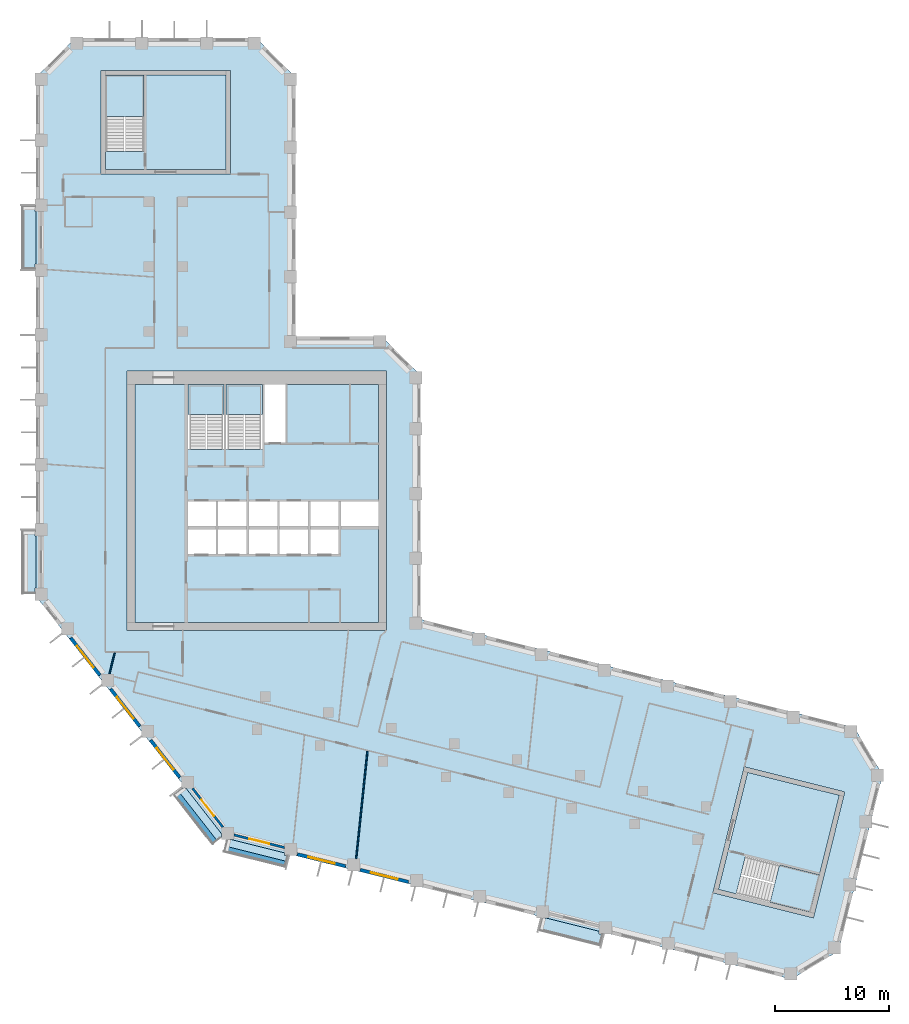
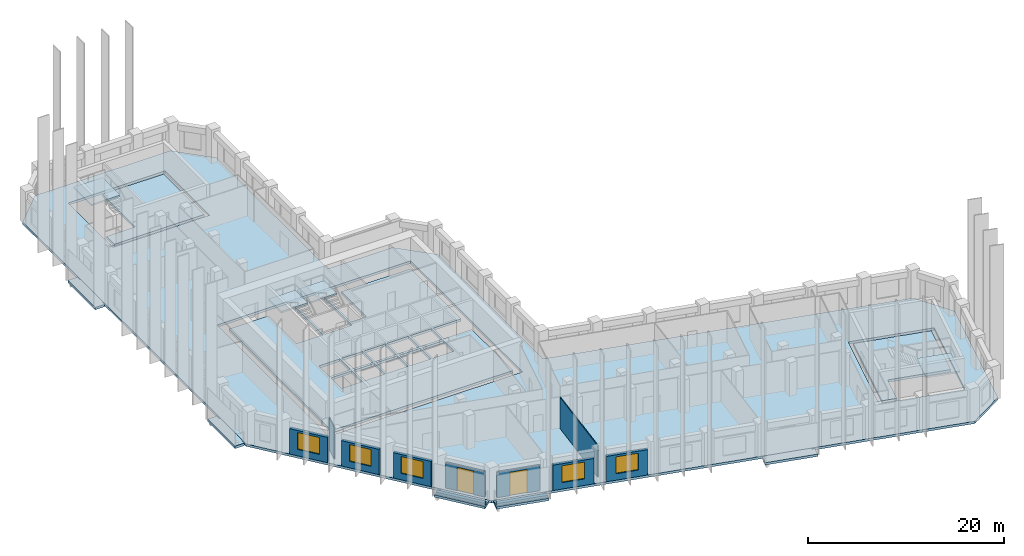
# One storey, part 2 of 10: 13 slabs, 11 walls, 5 windows, 2 doors, 7 openings, 4 elements without a shape of their own.
"""IFC4 building model written with IfcOpenShell, lengths in metres."""

from ifc_helpers import new_model, si_unit, direction, frame, frame_2d, origin, place, context, subcontext, project, spatial, polyline, rectangle, outline, extrude, material, layer, layer_set, type_object, element, fill, aggregate, save


model = new_model("IFC4")

# Units and contexts
model_context = context("Model", 3, precision=1e-05, world=origin(), true_north=direction((0.0, 1.0)))
body_context = subcontext(model_context, "Body", "Model", "MODEL_VIEW")
ifc_project = project(units=[si_unit("LENGTHUNIT", "METRE"), si_unit("AREAUNIT", "SQUARE_METRE"), si_unit("VOLUMEUNIT", "CUBIC_METRE"), si_unit("PLANEANGLEUNIT", "RADIAN"), si_unit("MASSUNIT", "GRAM", prefix="KILO")], contexts=[model_context])

# Site, building, storey
site_placement = place(None, origin())
site = spatial("IfcSite", under=ifc_project, at=site_placement, CompositionType="ELEMENT")
building_placement = place(site_placement, origin())
building = spatial("IfcBuilding", under=site, at=building_placement, Name="Meshkara Civic Tower", CompositionType="ELEMENT")
storey_placement = place(building_placement, frame((0.0, 0.0, 225.60009765625)))
storey = spatial("IfcBuildingStorey", under=building, at=storey_placement, Name="L51", CompositionType="ELEMENT", Elevation=225.60009765625)

# Slabs
ifc_material_1 = material(Name="Concrete C40", Category="concrete")
ifc_layer_1 = layer(ifc_material_1, 0.300048828125)
ifc_layer_set_1 = layer_set([ifc_layer_1], Name="BALCONY SLAB")
slab_type_1 = type_object("IfcSlabType", Name="BALCONY SLAB", PredefinedType="FLOOR", material=ifc_layer_set_1)
slab_1_placement = place(storey_placement, frame((0.0, 0.0, -0.300048828125)))
element("IfcSlab", 1, at=slab_1_placement, inside=storey, type_object=slab_type_1, Name="Balcony slab", PredefinedType="FLOOR", context=body_context, shape_type="SweptSolid", body=[
    extrude(outline(polyline([(-1.199951171875, 45.81494140625), (-1.199951171875, 51.39501953125), (-0.10009765625, 51.39501953125), (-0.10009765625, 50.905029296875), (0.0, 50.905029296875), (0.0, 46.304931640625), (-0.10009765625, 46.304931640625), (-0.10009765625, 45.81494140625), (-1.199951171875, 45.81494140625)])), origin(), (0.0, 0.0, 1.0), 0.300048828125),
])
slab_2_placement = place(storey_placement, frame((0.0, 0.0, -0.300048828125)))
element("IfcSlab", 2, at=slab_2_placement, inside=storey, type_object=slab_type_1, Name="Balcony slab", PredefinedType="FLOOR", context=body_context, shape_type="SweptSolid", body=[
    extrude(outline(polyline([(-1.199951171875, 17.31494140625), (-1.199951171875, 22.89501953125), (-0.10009765625, 22.89501953125), (-0.10009765625, 22.405029296875), (0.0, 22.405029296875), (0.0, 17.804931640625), (-0.10009765625, 17.804931640625), (-0.10009765625, 17.31494140625), (-1.199951171875, 17.31494140625)])), origin(), (0.0, 0.0, 1.0), 0.300048828125),
])
slab_3_placement = place(storey_placement, frame((0.0, 0.0, -0.300048828125)))
element("IfcSlab", 3, at=slab_3_placement, inside=storey, type_object=slab_type_1, Name="Balcony slab", PredefinedType="FLOOR", context=body_context, shape_type="SweptSolid", body=[
    extrude(outline(polyline([(15.513916015625, -4.7060546875), (12.0791015625, -0.30908203125), (12.7919921875, 0.248046875), (12.7919921875, 0.2041015625), (13.199951171875, 0.2041015625), (16.301025390625, -3.764892578125), (16.301025390625, -4.092041015625), (15.513916015625, -4.7060546875)])), origin(), (0.0, 0.0, 1.0), 0.300048828125),
])
slab_4_placement = place(storey_placement, frame((0.0, 0.0, -0.300048828125)))
element("IfcSlab", 4, at=slab_4_placement, inside=storey, type_object=slab_type_1, Name="Balcony slab", PredefinedType="FLOOR", context=body_context, shape_type="SweptSolid", body=[
    extrude(outline(polyline([(21.925048828125, -6.702880859375), (16.510009765625, -5.35302734375), (16.77587890625, -4.2880859375), (17.197998046875, -4.2880859375), (21.83203125, -5.443115234375), (21.83203125, -5.6669921875), (22.18310546875, -5.6669921875), (21.925048828125, -6.702880859375)])), origin(), (0.0, 0.0, 1.0), 0.300048828125),
])
slab_5_placement = place(storey_placement, frame((0.0, 0.0, -0.300048828125)))
element("IfcSlab", 5, at=slab_5_placement, inside=storey, type_object=slab_type_1, Name="Balcony slab", PredefinedType="FLOOR", context=body_context, shape_type="SweptSolid", body=[
    extrude(outline(polyline([(49.577880859375, -13.597900390625), (44.1640625, -12.248046875), (44.429931640625, -11.181884765625), (44.84912109375, -11.181884765625), (49.485107421875, -12.337890625), (49.485107421875, -12.56103515625), (49.8359375, -12.56103515625), (49.577880859375, -13.597900390625)])), origin(), (0.0, 0.0, 1.0), 0.300048828125),
])
ifc_material_2 = material(Name="Concrete C40/50", Category="concrete")
ifc_layer_2 = layer(ifc_material_2, 0.300048828125)
ifc_layer_set_2 = layer_set([ifc_layer_2], Name="Core floor slab 300 C40/50")
slab_type_2 = type_object("IfcSlabType", Name="Core floor slab 300 C40/50", PredefinedType="FLOOR", material=ifc_layer_set_2)
slab_6_placement = place(storey_placement, frame((0.0, 0.0, -0.300048828125)))
element("IfcSlab", 6, at=slab_6_placement, inside=storey, type_object=slab_type_2, Name="Core floor K", PredefinedType="FLOOR", context=body_context, shape_type="SweptSolid", body=[
    extrude(outline(polyline([(8.699951171875, 35.699951171875), (13.35009765625, 35.699951171875), (13.35009765625, 30.00146484375), (16.5, 30.00146484375), (16.5, 35.699951171875), (16.699951171875, 35.699951171875), (16.699951171875, 30.00146484375), (19.89990234375, 30.00146484375), (19.89990234375, 35.699951171875), (20.10009765625, 35.699951171875), (20.10009765625, 30.574951171875), (21.925048828125, 30.574951171875), (21.925048828125, 35.699951171875), (30.10009765625, 35.699951171875), (30.10009765625, 25.39990234375), (26.800048828125, 25.39990234375), (26.800048828125, 23.25), (30.10009765625, 23.25), (30.10009765625, 14.800048828125), (8.699951171875, 14.800048828125), (8.699951171875, 35.699951171875)]), holes=[polyline([(15.800048828125, 22.949951171875), (13.35009765625, 22.949951171875), (13.35009765625, 20.800048828125), (15.800048828125, 20.800048828125), (15.800048828125, 22.949951171875)]), polyline([(16.0, 22.949951171875), (16.0, 20.800048828125), (18.5, 20.800048828125), (18.5, 22.949951171875), (16.0, 22.949951171875)]), polyline([(18.699951171875, 22.949951171875), (18.699951171875, 20.800048828125), (21.199951171875, 20.800048828125), (21.199951171875, 22.949951171875), (18.699951171875, 22.949951171875)]), polyline([(15.800048828125, 23.25), (15.800048828125, 25.39990234375), (13.35009765625, 25.39990234375), (13.35009765625, 23.25), (15.800048828125, 23.25)]), polyline([(16.0, 25.39990234375), (16.0, 23.25), (18.5, 23.25), (18.5, 25.39990234375), (16.0, 25.39990234375)]), polyline([(21.39990234375, 20.800048828125), (23.89990234375, 20.800048828125), (23.89990234375, 22.949951171875), (21.39990234375, 22.949951171875), (21.39990234375, 20.800048828125)]), polyline([(24.10009765625, 20.800048828125), (26.60009765625, 20.800048828125), (26.60009765625, 22.949951171875), (24.10009765625, 22.949951171875), (24.10009765625, 20.800048828125)]), polyline([(18.699951171875, 25.39990234375), (18.699951171875, 23.25), (21.199951171875, 23.25), (21.199951171875, 25.39990234375), (18.699951171875, 25.39990234375)]), polyline([(21.39990234375, 25.39990234375), (21.39990234375, 23.25), (23.89990234375, 23.25), (23.89990234375, 25.39990234375), (21.39990234375, 25.39990234375)]), polyline([(24.10009765625, 23.25), (26.60009765625, 23.25), (26.60009765625, 25.39990234375), (24.10009765625, 25.39990234375), (24.10009765625, 23.25)])]), origin(), (0.0, 0.0, 1.0), 0.300048828125),
])
slab_7_placement = place(storey_placement, frame((0.0, 0.0, -0.300048828125)))
element("IfcSlab", 7, at=slab_7_placement, inside=storey, type_object=slab_type_2, Name="Core floor EA", PredefinedType="FLOOR", context=body_context, shape_type="SweptSolid", body=[
    extrude(outline(polyline([(16.699951171875, 54.570068359375), (16.699951171875, 62.8701171875), (9.5, 62.8701171875), (9.5, 56.17138671875), (6.10009765625, 56.17138671875), (6.10009765625, 54.570068359375), (16.699951171875, 54.570068359375)])), origin(), (0.0, 0.0, 1.0), 0.300048828125),
])
slab_8_placement = place(storey_placement, frame((0.0, 0.0, -0.300048828125)))
element("IfcSlab", 8, at=slab_8_placement, inside=storey, type_object=slab_type_2, Name="Core floor EB", PredefinedType="FLOOR", context=body_context, shape_type="SweptSolid", body=[
    extrude(outline(polyline([(62.519775390625, 1.623291015625), (70.5732421875, -0.384765625), (68.83154296875, -7.370849609375), (62.33203125, -5.750244140625), (61.50927734375, -9.04931640625), (59.95556640625, -8.661865234375), (62.519775390625, 1.623291015625)])), origin(), (0.0, 0.0, 1.0), 0.300048828125),
])

# Stair, slab
ifc_material_3 = material(Name="Precast concrete C40/50", Category="concrete")
stair_type_1 = type_object("IfcStairType", Name="Exit stair half-turn 24 risers precast", PredefinedType="HALF_TURN_STAIR", material=ifc_material_3)
stair_1_placement = place(storey_placement, origin())
stair_1 = element("IfcStair", 9, at=stair_1_placement, inside=storey, type_object=stair_type_1, Name="L51 exit stair 1", PredefinedType="HALF_TURN_STAIR")
ifc_material_4 = material(Name="Precast concrete C40/50", Category="concrete")
ifc_layer_3 = layer(ifc_material_4, 0.199951171875)
ifc_layer_set_3 = layer_set([ifc_layer_3], Name="Exit stair landing 200")
slab_type_3 = type_object("IfcSlabType", Name="Exit stair landing 200", PredefinedType="LANDING", material=ifc_layer_set_3)
slab_9_placement = place(storey_placement, frame((0.0, 0.0, 1.89990234375)))
slab_9 = element("IfcSlab", 10, at=slab_9_placement, type_object=slab_type_3, Name="ST1 landing 1", PredefinedType="LANDING", context=body_context, shape_type="SweptSolid", body=[
    extrude(outline(polyline([(16.5, 33.07861328125), (16.5, 35.699951171875), (13.35009765625, 35.699951171875), (13.35009765625, 33.07861328125), (16.5, 33.07861328125)])), origin(), (0.0, 0.0, 1.0), 0.199951171875),
])
aggregate(stair_1, [slab_9])

stair_2_placement = place(storey_placement, origin())
stair_2 = element("IfcStair", 11, at=stair_2_placement, inside=storey, type_object=stair_type_1, Name="L51 exit stair 2", PredefinedType="HALF_TURN_STAIR")
slab_10_placement = place(storey_placement, frame((0.0, 0.0, 1.89990234375)))
slab_10 = element("IfcSlab", 12, at=slab_10_placement, type_object=slab_type_3, Name="ST2 landing 1", PredefinedType="LANDING", context=body_context, shape_type="SweptSolid", body=[
    extrude(outline(polyline([(19.89990234375, 33.07861328125), (19.89990234375, 35.699951171875), (16.699951171875, 35.699951171875), (16.699951171875, 33.07861328125), (19.89990234375, 33.07861328125)])), origin(), (0.0, 0.0, 1.0), 0.199951171875),
])
aggregate(stair_2, [slab_10])

ifc_material_5 = material(Name="Precast concrete C40/50", Category="concrete")
stair_type_2 = type_object("IfcStairType", Name="Exit stair half-turn 24 risers 1600 precast", PredefinedType="HALF_TURN_STAIR", material=ifc_material_5)
stair_3_placement = place(storey_placement, origin())
stair_3 = element("IfcStair", 13, at=stair_3_placement, inside=storey, type_object=stair_type_2, Name="L51 exit stair A from L50", PredefinedType="HALF_TURN_STAIR")
slab_11_placement = place(storey_placement, frame((0.0, 0.0, 1.89990234375)))
slab_11 = element("IfcSlab", 14, at=slab_11_placement, type_object=slab_type_3, Name="ESA4 landing 1", PredefinedType="LANDING", context=body_context, shape_type="SweptSolid", body=[
    extrude(outline(polyline([(9.5, 59.24853515625), (9.5, 62.8701171875), (6.10009765625, 62.8701171875), (6.10009765625, 59.24853515625), (9.5, 59.24853515625)])), origin(), (0.0, 0.0, 1.0), 0.199951171875),
])
aggregate(stair_3, [slab_11])

stair_4_placement = place(storey_placement, origin())
stair_4 = element("IfcStair", 15, at=stair_4_placement, inside=storey, type_object=stair_type_2, Name="L51 exit stair B from L50", PredefinedType="HALF_TURN_STAIR")
slab_12_placement = place(storey_placement, frame((0.0, 0.0, 1.89990234375)))
slab_12 = element("IfcSlab", 16, at=slab_12_placement, type_object=slab_type_3, Name="ESB4 landing 1", PredefinedType="LANDING", context=body_context, shape_type="SweptSolid", body=[
    extrude(outline(polyline([(64.49462890625, -9.794677734375), (68.0087890625, -10.67138671875), (68.83203125, -7.371337890625), (65.318115234375, -6.49462890625), (64.49462890625, -9.794677734375)])), origin(), (0.0, 0.0, 1.0), 0.199951171875),
])
aggregate(stair_4, [slab_12])

# Slab
ifc_material_6 = material(Name="Concrete C50", Category="concrete")
ifc_layer_4 = layer(ifc_material_6, 0.300048828125)
ifc_layer_set_4 = layer_set([ifc_layer_4], Name="Post-tensioned flat slab 300 C50")
slab_type_4 = type_object("IfcSlabType", Name="Post-tensioned flat slab 300 C50", PredefinedType="FLOOR", material=ifc_layer_set_4)
slab_13_placement = place(storey_placement, frame((0.0, 0.0, -0.300048828125)))
element("IfcSlab", 17, at=slab_13_placement, inside=storey, type_object=slab_type_4, Name="Post-tensioned flat slab L51", PredefinedType="FLOOR", context=body_context, shape_type="SweptSolid", body=[
    extrude(outline(polyline([(70.513916015625, -14.055908203125), (66.367919921875, -16.547119140625), (16.592041015625, -4.136962890625), (0.0, 17.10009765625), (0.0, 62.699951171875), (3.419921875, 66.1201171875), (19.3798828125, 66.1201171875), (22.800048828125, 62.699951171875), (22.800048828125, 39.89990234375), (30.3798828125, 39.89990234375), (33.800048828125, 36.47998046875), (33.800048828125, 15.071044921875), (71.884033203125, 5.574951171875), (74.375, 1.429931640625), (70.513916015625, -14.055908203125)]), holes=[polyline([(68.300048828125, -11.155029296875), (71.05810546875, -0.093017578125), (62.22802734375, 2.10791015625), (59.470947265625, -8.952880859375), (68.300048828125, -11.155029296875)]), polyline([(8.0, 14.10009765625), (30.800048828125, 14.10009765625), (30.800048828125, 36.89990234375), (8.0, 36.89990234375), (8.0, 14.10009765625)]), polyline([(5.699951171875, 63.27001953125), (5.699951171875, 54.169921875), (17.10009765625, 54.169921875), (17.10009765625, 63.27001953125), (5.699951171875, 63.27001953125)])]), origin(), (0.0, 0.0, 1.0), 0.300048828125),
])

# Wall, opening, window
ifc_material_7 = material(Name="Insulated infill panel with bronze anodised aluminium cladding", Category="aluminium")
ifc_layer_5 = layer(ifc_material_7, 0.300048828125)
ifc_layer_set_5 = layer_set([ifc_layer_5], Name="EXTERNAL INFILL WALL 300")
wall_type_1 = type_object("IfcWallType", Name="EXTERNAL INFILL WALL 300", PredefinedType="SOLIDWALL", material=ifc_layer_set_5)
wall_1_placement = place(storey_placement, frame((3.052978515625, 13.43603515625, 0.0), z_axis=(0.0, 0.0, 1.0), x_axis=(0.615699893917, -0.787980736205, 0.0)))
wall_1 = element("IfcWall", 18, at=wall_1_placement, inside=storey, type_object=wall_type_1, Name="External wall", PredefinedType="SOLIDWALL", context=body_context, shape_type="SweptSolid", body=[
    extrude(rectangle(XDim=4.156494140625, YDim=0.300048828125, at=frame_2d((2.078125, 0.0))), origin(), (0.0, 0.0, 1.0), 3.14990234375),
])
opening_1_placement = place(wall_1_placement, frame((0.8779296875, 0.0, 0.800048828125)))
opening_1 = element("IfcOpeningElement", 19, at=opening_1_placement, cuts=wall_1, Name="Opening W7", PredefinedType="OPENING", context=body_context, shape_type="SweptSolid", body=[
    extrude(rectangle(XDim=2.39990234375, YDim=2.10009765625, at=frame_2d((1.199951171875, 1.050048828125))), frame((0.0, 0.159912109375, 0.0), z_axis=(0.0, -1.0, 0.0), x_axis=(1.0, 0.0, 0.0)), (0.0, 0.0, 1.0), 0.320068359375),
])
ifc_material_8 = material(Name="Tinted double glazing", Category="glass")
window_type = type_object("IfcWindowType", Name="WINDOW 2400x2100", PartitioningType="DOUBLE_PANEL_VERTICAL", PredefinedType="WINDOW", material=ifc_material_8)
window_1_placement = place(opening_1_placement, origin())
window_1 = element("IfcWindow", 20, at=window_1_placement, inside=storey, type_object=window_type, Name="Window", OverallHeight=2.10009765625, OverallWidth=2.39990234375, PartitioningType="DOUBLE_PANEL_VERTICAL", PredefinedType="WINDOW", context=body_context, shape_type="SweptSolid", body=[
    extrude(rectangle(XDim=2.39990234375, YDim=2.10009765625, at=frame_2d((1.199951171875, 1.050048828125))), frame((0.0, 0.030029296875, 0.0), z_axis=(0.0, -1.0, 0.0), x_axis=(1.0, 0.0, 0.0)), (0.0, 0.0, 1.0), 0.06005859375),
])
fill(opening_1, window_1)

wall_2_placement = place(storey_placement, frame((6.56201171875, 8.944091796875, 0.0), z_axis=(0.0, 0.0, 1.0), x_axis=(0.615699893917, -0.787980736205, 0.0)))
wall_2 = element("IfcWall", 21, at=wall_2_placement, inside=storey, type_object=wall_type_1, Name="External wall", PredefinedType="SOLIDWALL", context=body_context, shape_type="SweptSolid", body=[
    extrude(rectangle(XDim=4.156494140625, YDim=0.300048828125, at=frame_2d((2.078125, 0.0))), origin(), (0.0, 0.0, 1.0), 3.14990234375),
])
opening_2_placement = place(wall_2_placement, frame((0.8779296875, 0.0, 0.800048828125)))
opening_2 = element("IfcOpeningElement", 22, at=opening_2_placement, cuts=wall_2, Name="Opening W7", PredefinedType="OPENING", context=body_context, shape_type="SweptSolid", body=[
    extrude(rectangle(XDim=2.39990234375, YDim=2.10009765625, at=frame_2d((1.199951171875, 1.050048828125))), frame((0.0, 0.159912109375, 0.0), z_axis=(0.0, -1.0, 0.0), x_axis=(1.0, 0.0, 0.0)), (0.0, 0.0, 1.0), 0.320068359375),
])
window_2_placement = place(opening_2_placement, origin())
window_2 = element("IfcWindow", 23, at=window_2_placement, inside=storey, type_object=window_type, Name="Window", OverallHeight=2.10009765625, OverallWidth=2.39990234375, PartitioningType="DOUBLE_PANEL_VERTICAL", PredefinedType="WINDOW", context=body_context, shape_type="SweptSolid", body=[
    extrude(rectangle(XDim=2.39990234375, YDim=2.10009765625, at=frame_2d((1.199951171875, 1.050048828125))), frame((0.0, 0.030029296875, 0.0), z_axis=(0.0, -1.0, 0.0), x_axis=(1.0, 0.0, 0.0)), (0.0, 0.0, 1.0), 0.06005859375),
])
fill(opening_2, window_2)

wall_3_placement = place(storey_placement, frame((10.072021484375, 4.451904296875, 0.0), z_axis=(0.0, 0.0, 1.0), x_axis=(0.615660006568, -0.788011901124, 0.0)))
wall_3 = element("IfcWall", 24, at=wall_3_placement, inside=storey, type_object=wall_type_1, Name="External wall", PredefinedType="SOLIDWALL", context=body_context, shape_type="SweptSolid", body=[
    extrude(rectangle(XDim=4.15478515625, YDim=0.300048828125, at=frame_2d((2.077392578125, 0.0))), origin(), (0.0, 0.0, 1.0), 3.14990234375),
])
opening_3_placement = place(wall_3_placement, frame((0.8779296875, 0.0, 0.800048828125)))
opening_3 = element("IfcOpeningElement", 25, at=opening_3_placement, cuts=wall_3, Name="Opening W7", PredefinedType="OPENING", context=body_context, shape_type="SweptSolid", body=[
    extrude(rectangle(XDim=2.39990234375, YDim=2.10009765625, at=frame_2d((1.199951171875, 1.050048828125))), frame((0.0, 0.159912109375, 0.0), z_axis=(0.0, -1.0, 0.0), x_axis=(1.0, 0.0, 0.0)), (0.0, 0.0, 1.0), 0.320068359375),
])
window_3_placement = place(opening_3_placement, origin())
window_3 = element("IfcWindow", 26, at=window_3_placement, inside=storey, type_object=window_type, Name="Window", OverallHeight=2.10009765625, OverallWidth=2.39990234375, PartitioningType="DOUBLE_PANEL_VERTICAL", PredefinedType="WINDOW", context=body_context, shape_type="SweptSolid", body=[
    extrude(rectangle(XDim=2.39990234375, YDim=2.10009765625, at=frame_2d((1.199951171875, 1.050048828125))), frame((0.0, 0.030029296875, 0.0), z_axis=(0.0, -1.0, 0.0), x_axis=(1.0, 0.0, 0.0)), (0.0, 0.0, 1.0), 0.06005859375),
])
fill(opening_3, window_3)

wall_4_placement = place(storey_placement, frame((22.9560546875, -5.569091796875, 0.0), z_axis=(0.0, 0.0, 1.0), x_axis=(0.970323116569, -0.241812012628, 0.0)))
wall_4 = element("IfcWall", 27, at=wall_4_placement, inside=storey, type_object=wall_type_1, Name="External wall", PredefinedType="SOLIDWALL", context=body_context, shape_type="SweptSolid", body=[
    extrude(rectangle(XDim=4.36669921875, YDim=0.300048828125, at=frame_2d((2.183349609375, 0.0))), origin(), (0.0, 0.0, 1.0), 3.14990234375),
])
opening_4_placement = place(wall_4_placement, frame((0.98291015625, 0.0, 0.800048828125)))
opening_4 = element("IfcOpeningElement", 28, at=opening_4_placement, cuts=wall_4, Name="Opening W7", PredefinedType="OPENING", context=body_context, shape_type="SweptSolid", body=[
    extrude(rectangle(XDim=2.39990234375, YDim=2.10009765625, at=frame_2d((1.199951171875, 1.050048828125))), frame((0.0, 0.159912109375, 0.0), z_axis=(0.0, -1.0, 0.0), x_axis=(1.0, 0.0, 0.0)), (0.0, 0.0, 1.0), 0.320068359375),
])
window_4_placement = place(opening_4_placement, origin())
window_4 = element("IfcWindow", 29, at=window_4_placement, inside=storey, type_object=window_type, Name="Window", OverallHeight=2.10009765625, OverallWidth=2.39990234375, PartitioningType="DOUBLE_PANEL_VERTICAL", PredefinedType="WINDOW", context=body_context, shape_type="SweptSolid", body=[
    extrude(rectangle(XDim=2.39990234375, YDim=2.10009765625, at=frame_2d((1.199951171875, 1.050048828125))), frame((0.0, 0.030029296875, 0.0), z_axis=(0.0, -1.0, 0.0), x_axis=(1.0, 0.0, 0.0)), (0.0, 0.0, 1.0), 0.06005859375),
])
fill(opening_4, window_4)

wall_5_placement = place(storey_placement, frame((28.486083984375, -6.947998046875, 0.0), z_axis=(0.0, 0.0, 1.0), x_axis=(0.970336189295, -0.241759549438, 0.0)))
wall_5 = element("IfcWall", 30, at=wall_5_placement, inside=storey, type_object=wall_type_1, Name="External wall", PredefinedType="SOLIDWALL", context=body_context, shape_type="SweptSolid", body=[
    extrude(rectangle(XDim=4.36767578125, YDim=0.300048828125, at=frame_2d((2.183837890625, 0.0))), origin(), (0.0, 0.0, 1.0), 3.14990234375),
])
opening_5_placement = place(wall_5_placement, frame((0.98291015625, 0.0, 0.800048828125)))
opening_5 = element("IfcOpeningElement", 31, at=opening_5_placement, cuts=wall_5, Name="Opening W7", PredefinedType="OPENING", context=body_context, shape_type="SweptSolid", body=[
    extrude(rectangle(XDim=2.39990234375, YDim=2.10009765625, at=frame_2d((1.199951171875, 1.050048828125))), frame((0.0, 0.159912109375, 0.0), z_axis=(0.0, -1.0, 0.0), x_axis=(1.0, 0.0, 0.0)), (0.0, 0.0, 1.0), 0.320068359375),
])
window_5_placement = place(opening_5_placement, origin())
window_5 = element("IfcWindow", 32, at=window_5_placement, inside=storey, type_object=window_type, Name="Window", OverallHeight=2.10009765625, OverallWidth=2.39990234375, PartitioningType="DOUBLE_PANEL_VERTICAL", PredefinedType="WINDOW", context=body_context, shape_type="SweptSolid", body=[
    extrude(rectangle(XDim=2.39990234375, YDim=2.10009765625, at=frame_2d((1.199951171875, 1.050048828125))), frame((0.0, 0.030029296875, 0.0), z_axis=(0.0, -1.0, 0.0), x_axis=(1.0, 0.0, 0.0)), (0.0, 0.0, 1.0), 0.06005859375),
])
fill(opening_5, window_5)

# Wall, opening, door
ifc_material_9 = material(Name="Insulated infill panel with bronze anodised aluminium cladding", Category="aluminium")
ifc_layer_6 = layer(ifc_material_9, 0.199951171875)
ifc_layer_set_6 = layer_set([ifc_layer_6], Name="LOGGIA BACK WALL 200")
wall_type_2 = type_object("IfcWallType", Name="LOGGIA BACK WALL 200", PredefinedType="SOLIDWALL", material=ifc_layer_set_6)
wall_6_placement = place(storey_placement, frame((13.77197265625, 0.2041015625, 0.0), z_axis=(0.0, 0.0, 1.0), x_axis=(0.615478906808, -0.788153357713, 0.0)))
wall_6 = element("IfcWall", 33, at=wall_6_placement, inside=storey, type_object=wall_type_2, Name="Loggia wall", PredefinedType="SOLIDWALL", context=body_context, shape_type="SweptSolid", body=[
    extrude(rectangle(XDim=4.303955078125, YDim=0.199951171875, at=frame_2d((2.15185546875, 0.0))), origin(), (0.0, 0.0, 1.0), 3.14990234375),
])
opening_6_placement = place(wall_6_placement, frame((1.251953125, 0.0, 0.0)))
opening_6 = element("IfcOpeningElement", 34, at=opening_6_placement, cuts=wall_6, Name="Opening L51-L003", PredefinedType="OPENING", context=body_context, shape_type="SweptSolid", body=[
    extrude(rectangle(XDim=1.800048828125, YDim=2.89990234375, at=frame_2d((0.89990234375, 1.449951171875))), frame((0.0, 0.10986328125, 0.0), z_axis=(0.0, -1.0, 0.0), x_axis=(1.0, 0.0, 0.0)), (0.0, 0.0, 1.0), 0.219970703125),
])
ifc_material_10 = material(Name="Tinted double glazing", Category="glass")
door_type = type_object("IfcDoorType", Name="LOGGIA DOOR 1800x2900", OperationType="DOUBLE_DOOR_SINGLE_SWING", PredefinedType="DOOR", material=ifc_material_10)
door_1_placement = place(opening_6_placement, origin())
door_1 = element("IfcDoor", 35, at=door_1_placement, inside=storey, type_object=door_type, Name="L51-L003", OperationType="DOUBLE_DOOR_SINGLE_SWING", OverallHeight=2.89990234375, OverallWidth=1.800048828125, PredefinedType="DOOR", context=body_context, shape_type="SweptSolid", body=[
    extrude(rectangle(XDim=1.800048828125, YDim=2.89990234375, at=frame_2d((0.89990234375, 1.449951171875))), frame((0.0, 0.02490234375, 0.0), z_axis=(0.0, -1.0, 0.0), x_axis=(1.0, 0.0, 0.0)), (0.0, 0.0, 1.0), 0.050048828125),
])
fill(opening_6, door_1)

wall_7_placement = place(storey_placement, frame((17.40087890625, -3.875, 0.0), z_axis=(0.0, 0.0, 1.0), x_axis=(0.970286982272, -0.241956963183, 0.0)))
wall_7 = element("IfcWall", 36, at=wall_7_placement, inside=storey, type_object=wall_type_2, Name="Loggia wall", PredefinedType="SOLIDWALL", context=body_context, shape_type="SweptSolid", body=[
    extrude(rectangle(XDim=4.56689453125, YDim=0.199951171875, at=frame_2d((2.283447265625, 0.0))), origin(), (0.0, 0.0, 1.0), 3.14990234375),
])
opening_7_placement = place(wall_7_placement, frame((1.383056640625, 0.0, 0.0)))
opening_7 = element("IfcOpeningElement", 37, at=opening_7_placement, cuts=wall_7, Name="Opening L51-L004", PredefinedType="OPENING", context=body_context, shape_type="SweptSolid", body=[
    extrude(rectangle(XDim=1.800048828125, YDim=2.89990234375, at=frame_2d((0.89990234375, 1.449951171875))), frame((0.0, 0.10986328125, 0.0), z_axis=(0.0, -1.0, 0.0), x_axis=(1.0, 0.0, 0.0)), (0.0, 0.0, 1.0), 0.219970703125),
])
door_2_placement = place(opening_7_placement, origin())
door_2 = element("IfcDoor", 38, at=door_2_placement, inside=storey, type_object=door_type, Name="L51-L004", OperationType="DOUBLE_DOOR_SINGLE_SWING", OverallHeight=2.89990234375, OverallWidth=1.800048828125, PredefinedType="DOOR", context=body_context, shape_type="SweptSolid", body=[
    extrude(rectangle(XDim=1.800048828125, YDim=2.89990234375, at=frame_2d((0.89990234375, 1.449951171875))), frame((0.0, 0.02490234375, 0.0), z_axis=(0.0, -1.0, 0.0), x_axis=(1.0, 0.0, 0.0)), (0.0, 0.0, 1.0), 0.050048828125),
])
fill(opening_7, door_2)

# Walls
ifc_material_11 = material(Name="Concrete C40", Category="concrete")
ifc_layer_7 = layer(ifc_material_11, 0.39990234375)
ifc_layer_set_7 = layer_set([ifc_layer_7], Name="PLANTER TRAY")
wall_type_3 = type_object("IfcWallType", Name="PLANTER TRAY", PredefinedType="SOLIDWALL", material=ifc_layer_set_7)
wall_8_placement = place(storey_placement, frame((12.39794921875, -0.198974609375, 0.0), z_axis=(0.0, 0.0, 1.0), x_axis=(0.615638738903, -0.788028516719, 0.0)))
element("IfcWall", 39, at=wall_8_placement, inside=storey, type_object=wall_type_3, Name="Planter", PredefinedType="SOLIDWALL", context=body_context, shape_type="SweptSolid", body=[
    extrude(rectangle(XDim=5.3603515625, YDim=0.39990234375, at=frame_2d((2.68017578125, 0.0))), origin(), (0.0, 0.0, 1.0), 0.2998046875),
])
wall_9_placement = place(storey_placement, frame((16.694091796875, -5.069091796875, 0.0), z_axis=(0.0, 0.0, 1.0), x_axis=(0.970289679319, -0.241946147329, 0.0)))
element("IfcWall", 40, at=wall_9_placement, inside=storey, type_object=wall_type_3, Name="Planter", PredefinedType="SOLIDWALL", context=body_context, shape_type="SweptSolid", body=[
    extrude(rectangle(XDim=5.360107421875, YDim=0.39990234375, at=frame_2d((2.68017578125, 0.0))), origin(), (0.0, 0.0, 1.0), 0.2998046875),
])
ifc_material_12 = material(Name="Partition 100")
ifc_layer_8 = layer(ifc_material_12, 0.10009765625)
ifc_layer_set_8 = layer_set([ifc_layer_8], Name="Partition 100")
wall_type_4 = type_object("IfcWallType", Name="Partition 100", PredefinedType="PARTITIONING", material=ifc_layer_set_8)
wall_10_placement = place(storey_placement, frame((6.922119140625, 12.137939453125, 0.0), z_axis=(0.0, 0.0, 1.0), x_axis=(-0.242264600824, -0.970210215978, 0.0)))
element("IfcWall", 41, at=wall_10_placement, inside=storey, type_object=wall_type_4, Name="L51-W045", PredefinedType="PARTITIONING", context=body_context, shape_type="SweptSolid", body=[
    extrude(rectangle(XDim=1.90771484375, YDim=0.10009765625, at=frame_2d((0.953857421875, 0.0))), origin(), (0.0, 0.0, 1.0), 3.89990234375),
])
wall_11_placement = place(storey_placement, frame((28.132080078125, -5.946044921875, 0.0), z_axis=(0.0, 0.0, 1.0), x_axis=(0.104469291407, 0.994528112802, 0.0)))
element("IfcWall", 42, at=wall_11_placement, inside=storey, type_object=wall_type_4, Name="L51-W051", PredefinedType="PARTITIONING", context=body_context, shape_type="SweptSolid", body=[
    extrude(rectangle(XDim=9.4951171875, YDim=0.10009765625, at=frame_2d((4.74755859375, 0.0))), origin(), (0.0, 0.0, 1.0), 3.89990234375),
])

save(model, "model.ifc")
